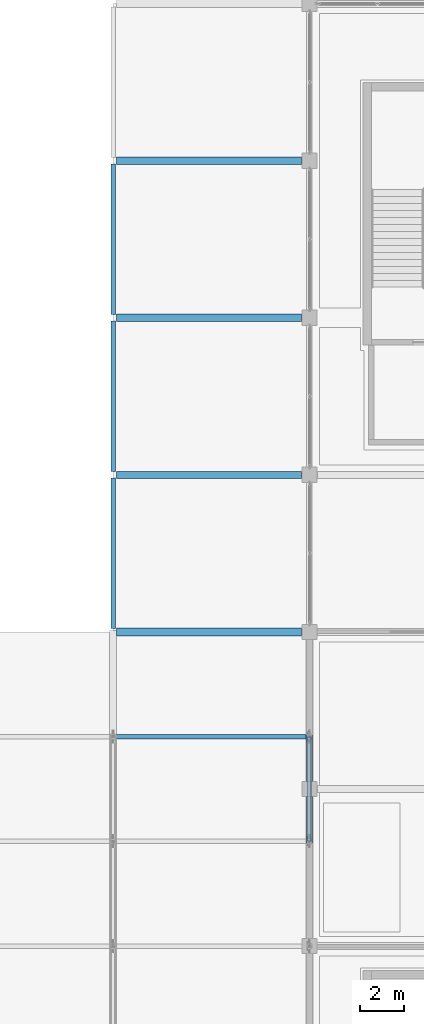
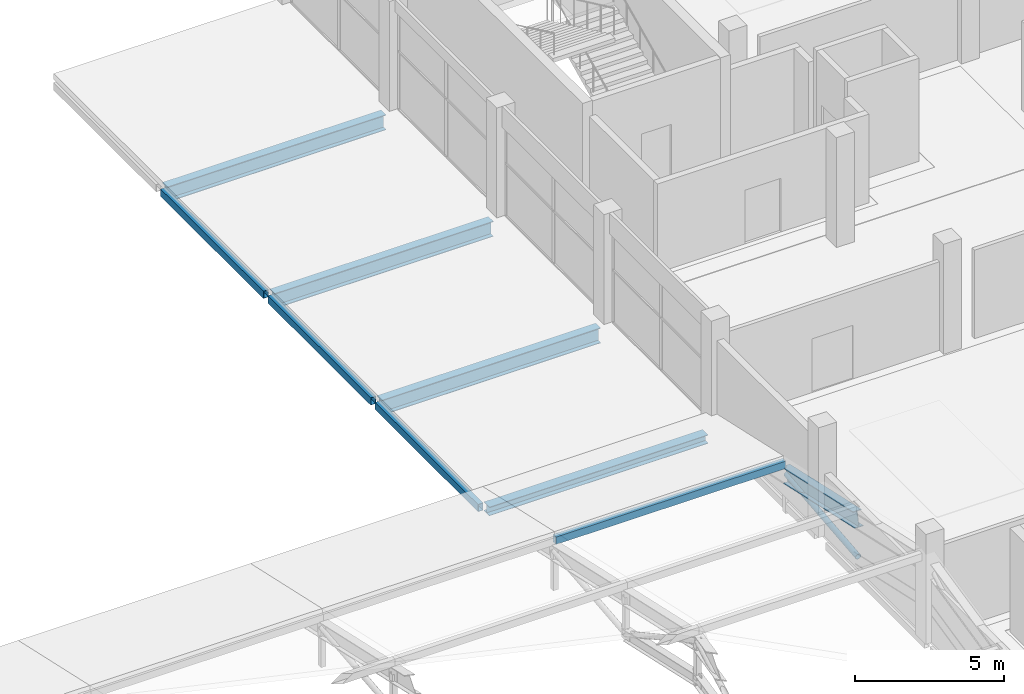
# One storey, part 66 of 151: 7 beams, 3 members.
"""IFC4 building model written with IfcOpenShell, lengths in metres."""

from ifc_helpers import new_model, si_unit, direction, frame, origin, origin_2d, place, context, subcontext, project, spatial, hollow_rectangle, hollow_circle, i_section, extrude, material, material_profile, profile_set, type_object, element, save


model = new_model("IFC4")

# Units and contexts
model_context = context("Model", 3, precision=1e-05, world=origin(), true_north=direction((0.0, 1.0)))
body_context = subcontext(model_context, "Body", "Model", "MODEL_VIEW")
ifc_project = project(units=[si_unit("LENGTHUNIT", "METRE"), si_unit("AREAUNIT", "SQUARE_METRE"), si_unit("VOLUMEUNIT", "CUBIC_METRE"), si_unit("PLANEANGLEUNIT", "RADIAN"), si_unit("MASSUNIT", "GRAM", prefix="KILO")], contexts=[model_context])

# Site, building, storey
site_placement = place(None, origin())
site = spatial("IfcSite", under=ifc_project, at=site_placement, CompositionType="ELEMENT")
building_placement = place(site_placement, origin())
building = spatial("IfcBuilding", under=site, at=building_placement, Name="Celestram Park Convention Centre", CompositionType="ELEMENT")
storey_placement = place(building_placement, frame((0.0, 0.0, 10.800048828125)))
storey = spatial("IfcBuildingStorey", under=building, at=storey_placement, Name="L02", CompositionType="ELEMENT", Elevation=10.800048828125)

# Beams
ifc_material_1 = material(Name="Steel ASTM A992 Grade 50", Category="steel")
ifc_material_profile_1 = material_profile(ifc_material_1, i_section(OverallWidth=0.327880859375, OverallDepth=0.6220703125, WebThickness=0.015380859375, FlangeThickness=0.0244140625, at=origin_2d()), Name="W24X131")
ifc_profile_set_1 = profile_set([ifc_material_profile_1], Name="Steel ASTM A992 Grade 50")
beam_type_1 = type_object("IfcBeamType", Name="STR-BM-W24X131", PredefinedType="BEAM", material=ifc_profile_set_1)
for number, where, z_axis, x_axis, name in (
    (1, (27.14794921875, 144.0, -0.551025390625), (1.0, 0.0, 0.0), (0.0, 1.0, 0.0), "Primary X-girder BG-L02-0003"),
    (2, (27.14794921875, 151.199951171875, -0.551025390625), (1.0, 0.0, 0.0), (0.0, 1.0, 0.0), "Primary X-girder BG-L02-0005"),
    (3, (27.14794921875, 158.39990234375, -0.551025390625), (1.0, 0.0, 0.0), (0.0, 1.0, 0.0), "Primary X-girder BG-L02-0007"),
):
    element("IfcBeam", number, at=place(storey_placement, frame(where, z_axis=z_axis, x_axis=x_axis)), inside=storey, type_object=beam_type_1, Name=name, PredefinedType="BEAM", context=body_context, shape_type="SweptSolid", body=[
        extrude(i_section(OverallWidth=0.327880859375, OverallDepth=0.6220703125, WebThickness=0.015380859375, FlangeThickness=0.0244140625, at=origin_2d()), origin(), (0.0, 0.0, 1.0), 8.47900390625),
    ])

# Members
ifc_material_2 = material(Name="Steel ASTM A500 Grade C", Category="steel")
ifc_material_profile_2 = material_profile(ifc_material_2, hollow_circle(Radius=0.109619140625, WallThickness=0.008056640625, at=origin_2d()), Name="CHS219X8")
ifc_profile_set_2 = profile_set([ifc_material_profile_2], Name="Steel ASTM A500 Grade C")
member_type_1 = type_object("IfcMemberType", Name="STR-BRC-CHS219", PredefinedType="BRACE", material=ifc_profile_set_2)
member_1_placement = place(storey_placement, frame((36.0, 127.199951171875, 0.34716796875), z_axis=(0.0, 0.994967300399, 0.100200155373), x_axis=(-1.0, 0.0, 0.0)))
element("IfcMember", 4, at=member_1_placement, inside=storey, type_object=member_type_1, Name="WPV arch web diagonal", PredefinedType="BRACE", context=body_context, shape_type="SweptSolid", body=[
    extrude(hollow_circle(Radius=0.109619140625, WallThickness=0.008056640625, at=origin_2d()), origin(), (0.0, 0.0, 1.0), 4.82421875),
])
ifc_material_profile_3 = material_profile(ifc_material_1, i_section(OverallWidth=0.327880859375, OverallDepth=0.6220703125, WebThickness=0.015380859375, FlangeThickness=0.0244140625, at=origin_2d()), Name="W24X131")
ifc_profile_set_3 = profile_set([ifc_material_profile_3], Name="Steel ASTM A992 Grade 50")
member_type_2 = type_object("IfcMemberType", Name="STR-CHD-W24X131", PredefinedType="CHORD", material=ifc_profile_set_3)
member_2_placement = place(storey_placement, frame((36.0, 127.199951171875, 1.897216796875), z_axis=(0.0, 0.976188228429, -0.216925200651), x_axis=(-1.0, 0.0, 0.0)))
element("IfcMember", 5, at=member_2_placement, inside=storey, type_object=member_type_2, Name="WPV arch top chord", PredefinedType="CHORD", context=body_context, shape_type="SweptSolid", body=[
    extrude(i_section(OverallWidth=0.327880859375, OverallDepth=0.6220703125, WebThickness=0.015380859375, FlangeThickness=0.0244140625, at=origin_2d()), origin(), (0.0, 0.0, 1.0), 4.917236328125),
])
ifc_material_profile_4 = material_profile(ifc_material_2, hollow_rectangle(XDim=0.199951171875, YDim=0.300048828125, WallThickness=0.011962890625, at=origin_2d()), Name="HSS300X200X12")
ifc_profile_set_4 = profile_set([ifc_material_profile_4], Name="Steel ASTM A500 Grade C")
member_type_3 = type_object("IfcMemberType", Name="STR-RFT-HSS300X200", PredefinedType="RAFTER", material=ifc_profile_set_4)
member_3_placement = place(storey_placement, frame((27.0, 132.0, 1.291748046875), z_axis=(1.0, 0.0, 0.0), x_axis=(0.0, 1.0, 0.0)))
element("IfcMember", 6, at=member_3_placement, inside=storey, type_object=member_type_3, Name="WPV roof purlin", PredefinedType="RAFTER", context=body_context, shape_type="SweptSolid", body=[
    extrude(hollow_rectangle(XDim=0.199951171875, YDim=0.300048828125, WallThickness=0.011962890625, at=origin_2d()), origin(), (0.0, 0.0, 1.0), 8.919921875),
])

# Beams
ifc_material_profile_5 = material_profile(ifc_material_2, hollow_rectangle(XDim=0.199951171875, YDim=0.300048828125, WallThickness=0.011962890625, at=origin_2d()), Name="HSS300X200X12")
ifc_profile_set_5 = profile_set([ifc_material_profile_5], Name="Steel ASTM A500 Grade C")
beam_type_2 = type_object("IfcBeamType", Name="STR-SPN-HSS300X200", PredefinedType="SPANDREL", material=ifc_profile_set_5)
for number, where, z_axis, x_axis, name in (
    (7, (27.0, 136.947998046875, -0.39013671875), (0.0, 1.0, 0.0), (-1.0, 0.0, 0.0), "Primary Y-girder BG-L02-0002"),
    (8, (27.0, 144.14794921875, -0.39013671875), (0.0, 1.0, 0.0), (-1.0, 0.0, 0.0), "Primary Y-girder BG-L02-0004"),
    (9, (27.0, 151.347900390625, -0.39013671875), (0.0, 1.0, 0.0), (-1.0, 0.0, 0.0), "Primary Y-girder BG-L02-0006"),
):
    element("IfcBeam", number, at=place(storey_placement, frame(where, z_axis=z_axis, x_axis=x_axis)), inside=storey, type_object=beam_type_2, Name=name, PredefinedType="SPANDREL", context=body_context, shape_type="SweptSolid", body=[
        extrude(hollow_rectangle(XDim=0.199951171875, YDim=0.300048828125, WallThickness=0.011962890625, at=origin_2d()), origin(), (0.0, 0.0, 1.0), 6.904052734375),
    ])
ifc_material_profile_6 = material_profile(ifc_material_1, i_section(OverallWidth=0.367919921875, OverallDepth=0.35595703125, WebThickness=0.01123046875, FlangeThickness=0.01806640625, at=origin_2d()), Name="W14X90")
ifc_profile_set_6 = profile_set([ifc_material_profile_6], Name="Steel ASTM A992 Grade 50")
beam_type_3 = type_object("IfcBeamType", Name="STR-SPN-W14X90", PredefinedType="SPANDREL", material=ifc_profile_set_6)
beam_placement = place(storey_placement, frame((27.14794921875, 136.800048828125, -0.41796875), z_axis=(1.0, 0.0, 0.0), x_axis=(0.0, 1.0, 0.0)))
element("IfcBeam", 10, at=beam_placement, inside=storey, type_object=beam_type_3, Name="Primary X-girder BG-L02-0001", PredefinedType="SPANDREL", context=body_context, shape_type="SweptSolid", body=[
    extrude(i_section(OverallWidth=0.367919921875, OverallDepth=0.35595703125, WebThickness=0.01123046875, FlangeThickness=0.01806640625, at=origin_2d()), origin(), (0.0, 0.0, 1.0), 8.47900390625),
])

save(model, "model.ifc")
